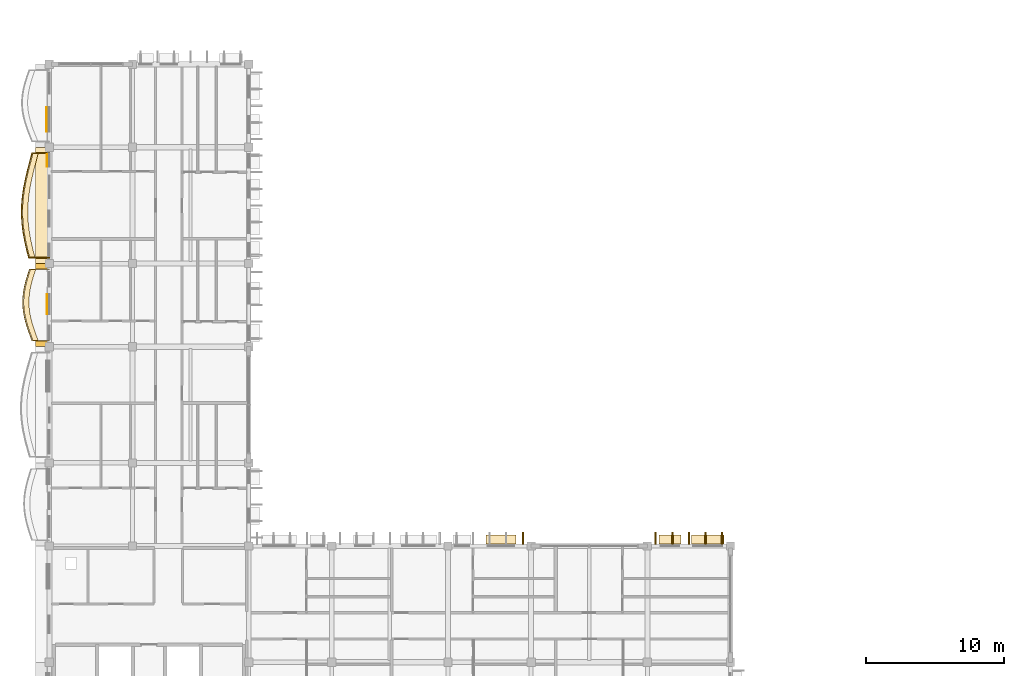
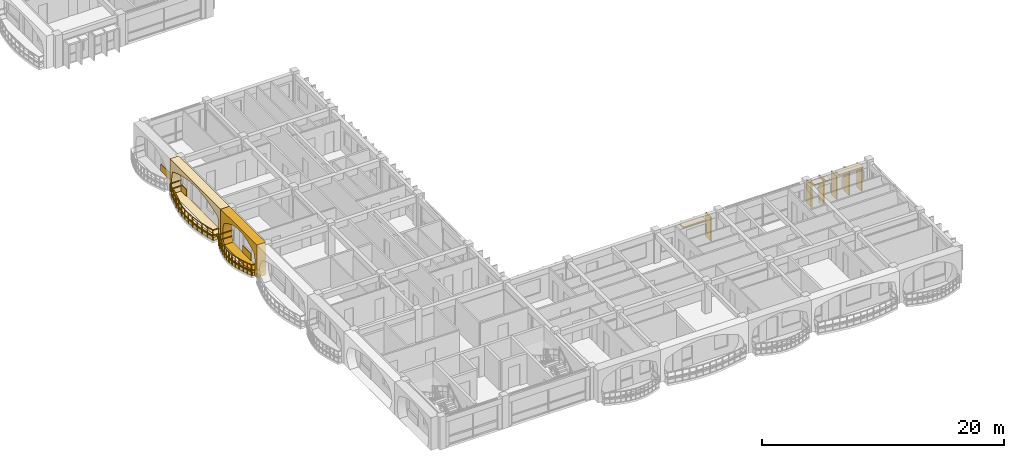
# One storey, part 53 of 76: 16 coverings, 2 railings.
"""IFC4 building model written with IfcOpenShell, lengths in metres."""

from ifc_helpers import new_model, si_unit, direction, frame, origin, origin_2d, place, context, subcontext, project, spatial, polyline, rectangle, outline, extrude, material, layer, layer_set, type_object, element, save


model = new_model("IFC4")

# Units and contexts
model_context = context("Model", 3, precision=1e-05, world=origin(), true_north=direction((0.0, 1.0)))
body_context = subcontext(model_context, "Body", "Model", "MODEL_VIEW")
ifc_project = project(units=[si_unit("LENGTHUNIT", "METRE"), si_unit("AREAUNIT", "SQUARE_METRE"), si_unit("VOLUMEUNIT", "CUBIC_METRE"), si_unit("PLANEANGLEUNIT", "RADIAN"), si_unit("MASSUNIT", "GRAM", prefix="KILO"), si_unit("THERMODYNAMICTEMPERATUREUNIT", "KELVIN")], contexts=[model_context])

# Site, building, storey
site_placement = place(None, origin())
site = spatial("IfcSite", under=ifc_project, at=site_placement, CompositionType="ELEMENT")
building_placement = place(site_placement, origin())
building = spatial("IfcBuilding", under=site, at=building_placement, Name="Thalorik Housing Commons", CompositionType="ELEMENT")
storey_placement = place(building_placement, frame((0.0, 0.0, 18.0)))
storey = spatial("IfcBuildingStorey", under=building, at=storey_placement, Name="L05", CompositionType="ELEMENT", Elevation=18.0)

# Coverings
ifc_material_1 = material(Name="Cobalt blue glazed ceramic facade tile panel", Category="masonry")
ifc_layer_1 = layer(ifc_material_1, 0.06005859375, Name="Cobalt blue glazed ceramic facade tile panel", Category="masonry")
ifc_layer_set_1 = layer_set([ifc_layer_1], Name="Cobalt blue glazed ceramic facade tile panel")
covering_type_1 = type_object("IfcCoveringType", Name="ARC-CLD-BLU-60", PredefinedType="CLADDING", material=ifc_layer_set_1)
covering_1_placement = place(storey_placement, frame((8.2275390625, 40.264892578125, 0.0498046875), z_axis=(0.0, 0.0, 1.0), x_axis=(0.0, -1.0, 0.0)))
element("IfcCovering", 1, at=covering_1_placement, inside=storey, type_object=covering_type_1, Name="L05 De Stijl Recessed Window Spandrel 3961", PredefinedType="CLADDING", context=body_context, shape_type="SweptSolid", body=[
    extrude(rectangle(XDim=1.419921875, YDim=0.06005859375, at=origin_2d()), origin(), (0.0, 0.0, 1.0), 0.699951171875),
])
ifc_material_2 = material(Name="Precast concrete C40/50", Category="concrete")
ifc_layer_2 = layer(ifc_material_2, 0.85009765625, Name="Precast concrete C40/50", Category="concrete")
ifc_layer_set_2 = layer_set([ifc_layer_2], Name="Precast concrete C40/50")
covering_type_2 = type_object("IfcCoveringType", Name="ARC-CLD-CUSH-850", PredefinedType="CLADDING", material=ifc_layer_set_2)
covering_2_placement = place(storey_placement, frame((7.83740234375, 47.39990234375, 0.0), z_axis=(0.0, 0.0, 1.0), x_axis=(0.0, -1.0, 0.0)))
element("IfcCovering", 2, at=covering_2_placement, inside=storey, type_object=covering_type_2, Name="L05 White Precast Curved Cushion Bay Frame 3958", PredefinedType="CLADDING", context=body_context, shape_type="SweptSolid", body=[
    extrude(outline(polyline([(-4.199951171875, 0.0), (4.199951171875, 0.0), (4.199951171875, 3.300048828125), (-4.199951171875, 3.300048828125), (-4.199951171875, 0.0)]), holes=[polyline([(3.715087890625, 0.02490234375), (3.8173828125, 0.394287109375), (3.87890625, 0.76318359375), (3.8994140625, 1.132568359375), (3.87890625, 1.501708984375), (3.8173828125, 1.870849609375), (3.715087890625, 2.239990234375), (3.09423828125, 2.4833984375), (2.473388671875, 2.6748046875), (1.8525390625, 2.82958984375), (1.231689453125, 2.94482421875), (0.61083984375, 3.01611328125), (-0.010009765625, 3.0400390625), (-0.630859375, 3.01611328125), (-1.251708984375, 2.94482421875), (-1.87255859375, 2.82958984375), (-2.493408203125, 2.6748046875), (-3.1142578125, 2.4833984375), (-3.735107421875, 2.239990234375), (-3.833251953125, 1.870849609375), (-3.89208984375, 1.501708984375), (-3.91162109375, 1.132568359375), (-3.89208984375, 0.76318359375), (-3.833251953125, 0.394287109375), (-3.735107421875, 0.02490234375), (3.715087890625, 0.02490234375)])]), frame((0.0, 0.425048828125, 0.0), z_axis=(0.0, -1.0, 0.0), x_axis=(1.0, 0.0, 0.0)), (0.0, 0.0, 1.0), 0.85009765625),
])
covering_3_placement = place(storey_placement, frame((7.83740234375, 40.199951171875, 0.0), z_axis=(0.0, 0.0, 1.0), x_axis=(0.0, -1.0, 0.0)))
element("IfcCovering", 3, at=covering_3_placement, inside=storey, type_object=covering_type_2, Name="L05 White Precast Curved Cushion Bay Frame 3960", PredefinedType="CLADDING", context=body_context, shape_type="SweptSolid", body=[
    extrude(outline(polyline([(-3.0, 0.0), (3.0, 0.0), (3.0, 3.300048828125), (-3.0, 3.300048828125), (-3.0, 0.0)]), holes=[polyline([(2.530029296875, 0.02490234375), (2.629150390625, 0.387451171875), (2.688720703125, 0.75), (2.70849609375, 1.112548828125), (2.688720703125, 1.47509765625), (2.629150390625, 1.83740234375), (2.530029296875, 2.199951171875), (2.11669921875, 2.455810546875), (1.703369140625, 2.656494140625), (1.2900390625, 2.819091796875), (0.876708984375, 2.940185546875), (0.46337890625, 3.014892578125), (0.050048828125, 3.0400390625), (-0.36328125, 3.014892578125), (-0.776611328125, 2.940185546875), (-1.18994140625, 2.819091796875), (-1.603271484375, 2.656494140625), (-2.0166015625, 2.455810546875), (-2.429931640625, 2.199951171875), (-2.55029296875, 1.83740234375), (-2.62255859375, 1.47509765625), (-2.646484375, 1.112548828125), (-2.62255859375, 0.75), (-2.55029296875, 0.387451171875), (-2.429931640625, 0.02490234375), (2.530029296875, 0.02490234375)])]), frame((0.0, 0.425048828125, 0.0), z_axis=(0.0, -1.0, 0.0), x_axis=(1.0, 0.0, 0.0)), (0.0, 0.0, 1.0), 0.85009765625),
])
ifc_layer_3 = layer(ifc_material_2, 0.85009765625, Name="Precast concrete C40/50", Category="concrete")
ifc_layer_set_3 = layer_set([ifc_layer_3], Name="Precast concrete C40/50")
covering_type_3 = type_object("IfcCoveringType", Name="ARC-CLD-FIN-850", PredefinedType="CLADDING", material=ifc_layer_set_3)
for number, where, z_axis, x_axis, name in (
    (4, (57.0, 23.362548828125, 0.0400390625), (0.0, 0.0, 1.0), (-1.0, 0.0, 0.0), "L05 Courtyard Precast Vertical Brise-Soleil Fin 3987"),
    (5, (55.800048828125, 23.362548828125, 0.0400390625), (0.0, 0.0, 1.0), (-1.0, 0.0, 0.0), "L05 Courtyard Precast Vertical Brise-Soleil Fin 3988"),
    (6, (54.60009765625, 23.362548828125, 0.0400390625), (0.0, 0.0, 1.0), (-1.0, 0.0, 0.0), "L05 Courtyard Precast Vertical Brise-Soleil Fin 3989"),
    (7, (53.39990234375, 23.362548828125, 0.0400390625), (0.0, 0.0, 1.0), (-1.0, 0.0, 0.0), "L05 Courtyard Precast Vertical Brise-Soleil Fin 3990"),
    (8, (52.199951171875, 23.362548828125, 0.0400390625), (0.0, 0.0, 1.0), (-1.0, 0.0, 0.0), "L05 Courtyard Precast Vertical Brise-Soleil Fin 3991"),
    (9, (42.60009765625, 23.362548828125, 0.0400390625), (0.0, 0.0, 1.0), (-1.0, 0.0, 0.0), "L05 Courtyard Precast Vertical Brise-Soleil Fin 3994"),
):
    element("IfcCovering", number, at=place(storey_placement, frame(where, z_axis=z_axis, x_axis=x_axis)), inside=storey, type_object=covering_type_3, Name=name, PredefinedType="CLADDING", context=body_context, shape_type="SweptSolid", body=[
        extrude(rectangle(XDim=0.110107421875, YDim=0.85009765625, at=origin_2d()), origin(), (0.0, 0.0, 1.0), 2.39501953125),
    ])
ifc_layer_4 = layer(ifc_material_2, 0.64990234375, Name="Precast concrete C40/50", Category="concrete")
ifc_layer_set_4 = layer_set([ifc_layer_4], Name="Precast concrete C40/50")
covering_type_4 = type_object("IfcCoveringType", Name="ARC-CLD-HOOD-650", PredefinedType="CLADDING", material=ifc_layer_set_4)
covering_4_placement = place(storey_placement, frame((55.969970703125, 23.262451171875, 2.3251953125), z_axis=(0.0, 0.0, 1.0), x_axis=(-1.0, 0.0, 0.0)))
element("IfcCovering", 10, at=covering_4_placement, inside=storey, type_object=covering_type_4, Name="L05 Courtyard Precast Window Sun-Hood 3992", PredefinedType="CLADDING", context=body_context, shape_type="SweptSolid", body=[
    extrude(rectangle(XDim=2.340087890625, YDim=0.64990234375, at=origin_2d()), origin(), (0.0, 0.0, 1.0), 0.139892578125),
])
covering_5_placement = place(storey_placement, frame((53.22998046875, 23.262451171875, 2.14013671875), z_axis=(0.0, 0.0, 1.0), x_axis=(-1.0, 0.0, 0.0)))
element("IfcCovering", 11, at=covering_5_placement, inside=storey, type_object=covering_type_4, Name="L05 Courtyard Precast Window Sun-Hood 3993", PredefinedType="CLADDING", context=body_context, shape_type="SweptSolid", body=[
    extrude(rectangle(XDim=1.56005859375, YDim=0.64990234375, at=origin_2d()), origin(), (0.0, 0.0, 1.0), 0.139892578125),
])
covering_6_placement = place(storey_placement, frame((41.011474609375, 23.262451171875, 2.22998046875), z_axis=(0.0, 0.0, 1.0), x_axis=(-1.0, 0.0, 0.0)))
element("IfcCovering", 12, at=covering_6_placement, inside=storey, type_object=covering_type_4, Name="L05 Courtyard Precast Window Sun-Hood 3999", PredefinedType="CLADDING", context=body_context, shape_type="SweptSolid", body=[
    extrude(rectangle(XDim=2.159912109375, YDim=0.64990234375, at=origin_2d()), origin(), (0.0, 0.0, 1.0), 0.139892578125),
])
ifc_material_3 = material(Name="Terracotta red mineral fibre-cement panel", Category="masonry")
ifc_layer_5 = layer(ifc_material_3, 0.054931640625, Name="Terracotta red mineral fibre-cement panel", Category="masonry")
ifc_layer_set_5 = layer_set([ifc_layer_5], Name="Terracotta red mineral fibre-cement panel")
covering_type_5 = type_object("IfcCoveringType", Name="ARC-CLD-RED-55", PredefinedType="CLADDING", material=ifc_layer_set_5)
covering_7_placement = place(storey_placement, frame((8.22998046875, 50.635009765625, 0.0498046875), z_axis=(0.0, 0.0, 1.0), x_axis=(0.0, -1.0, 0.0)))
element("IfcCovering", 13, at=covering_7_placement, inside=storey, type_object=covering_type_5, Name="L05 De Stijl Recessed Window Spandrel 3959", PredefinedType="CLADDING", context=body_context, shape_type="SweptSolid", body=[
    extrude(rectangle(XDim=0.89990234375, YDim=0.054931640625, at=origin_2d()), origin(), (0.0, 0.0, 1.0), 0.699951171875),
])
ifc_material_4 = material(Name="Mineral ochre architectural terracotta panel", Category="masonry")
ifc_layer_6 = layer(ifc_material_4, 0.06494140625, Name="Mineral ochre architectural terracotta panel", Category="masonry")
ifc_layer_set_6 = layer_set([ifc_layer_6], Name="Mineral ochre architectural terracotta panel")
covering_type_6 = type_object("IfcCoveringType", Name="ARC-CLD-YEL-65", PredefinedType="CLADDING", material=ifc_layer_set_6)
covering_8_placement = place(storey_placement, frame((8.22509765625, 53.610107421875, 0.0498046875), z_axis=(0.0, 0.0, 1.0), x_axis=(0.0, -1.0, 0.0)))
element("IfcCovering", 14, at=covering_8_placement, inside=storey, type_object=covering_type_6, Name="L05 De Stijl Recessed Window Spandrel 3957", PredefinedType="CLADDING", context=body_context, shape_type="SweptSolid", body=[
    extrude(rectangle(XDim=1.75, YDim=0.06494140625, at=origin_2d()), origin(), (0.0, 0.0, 1.0), 0.699951171875),
])
ifc_material_5 = material(Name="Planted vegetated substrate and terracotta trough", Category="masonry")
ifc_layer_7 = layer(ifc_material_5, 0.340087890625, Name="Planted vegetated substrate and terracotta trough", Category="masonry")
ifc_layer_set_7 = layer_set([ifc_layer_7], Name="Planted vegetated substrate and terracotta trough")
covering_type_7 = type_object("IfcCoveringType", Name="ARC-COV-PLANTER", PredefinedType="USERDEFINED", material=ifc_layer_set_7)
covering_9_placement = place(storey_placement, origin())
element("IfcCovering", 15, at=covering_9_placement, inside=storey, type_object=covering_type_7, Name="L05 Balcony Slab-Edge Planted Trough 5599", ObjectType="PLANTER", PredefinedType="USERDEFINED", context=body_context, shape_type="SweptSolid", body=[
    extrude(outline(polyline([(7.03369140625, 42.780029296875), (6.894775390625, 42.35009765625), (6.768310546875, 41.919921875), (6.66357421875, 41.489990234375), (6.588623046875, 41.06005859375), (6.549072265625, 40.6298828125), (6.548583984375, 40.199951171875), (6.58740234375, 39.77001953125), (6.6640625, 39.340087890625), (6.773681640625, 38.909912109375), (6.90869140625, 38.47998046875), (7.060791015625, 38.050048828125), (7.219482421875, 37.6201171875), (7.599609375, 37.6201171875), (7.44091796875, 38.050048828125), (7.288818359375, 38.47998046875), (7.153564453125, 38.909912109375), (7.044189453125, 39.340087890625), (6.967529296875, 39.77001953125), (6.928466796875, 40.199951171875), (6.92919921875, 40.6298828125), (6.968505859375, 41.06005859375), (7.043701171875, 41.489990234375), (7.148193359375, 41.919921875), (7.274658203125, 42.35009765625), (7.41357421875, 42.780029296875), (7.03369140625, 42.780029296875)])), origin(), (0.0, 0.0, 1.0), 0.340087890625),
])
covering_10_placement = place(storey_placement, origin())
element("IfcCovering", 16, at=covering_10_placement, inside=storey, type_object=covering_type_7, Name="L05 Balcony Slab-Edge Planted Trough 5600", ObjectType="PLANTER", PredefinedType="USERDEFINED", context=body_context, shape_type="SweptSolid", body=[
    extrude(outline(polyline([(7.2197265625, 51.179931640625), (7.055419921875, 50.550048828125), (6.89306640625, 49.919921875), (6.744384765625, 49.2900390625), (6.619384765625, 48.659912109375), (6.52685546875, 48.030029296875), (6.473388671875, 47.39990234375), (6.462890625, 46.77001953125), (6.49609375, 46.139892578125), (6.571044921875, 45.510009765625), (6.682861328125, 44.8798828125), (6.823974609375, 44.25), (6.984619140625, 43.6201171875), (7.364501953125, 43.6201171875), (7.203857421875, 44.25), (7.062744140625, 44.8798828125), (6.951171875, 45.510009765625), (6.876220703125, 46.139892578125), (6.843017578125, 46.77001953125), (6.853515625, 47.39990234375), (6.906982421875, 48.030029296875), (6.99951171875, 48.659912109375), (7.124267578125, 49.2900390625), (7.273193359375, 49.919921875), (7.435302734375, 50.550048828125), (7.599853515625, 51.179931640625), (7.2197265625, 51.179931640625)])), origin(), (0.0, 0.0, 1.0), 0.340087890625),
])

# Railings
ifc_material_6 = material(Name="Steel S355", Category="steel")
railing_type_1 = type_object("IfcRailingType", Name="ARC-RL-BAL-112", PredefinedType="BALUSTRADE", material=ifc_material_6)
railing_1_placement = place(storey_placement, frame((8.39990234375, 51.179931640625, 0.0)))
element("IfcRailing", 17, at=railing_1_placement, inside=storey, type_object=railing_type_1, Name="L05 Cushion Balcony Guardrail 284", PredefinedType="BALUSTRADE", context=body_context, shape_type="SweptSolid", body=[
    extrude(rectangle(XDim=0.050048828125, YDim=0.050048828125, at=origin_2d()), frame((0.0, 0.0, 1.09521484375), z_axis=(-1.0, 0.0, 0.0), x_axis=(0.0, -1.0, 0.0)), (0.0, 0.0, 1.0), 1.25),
    extrude(rectangle(XDim=0.050048828125, YDim=0.050048828125, at=origin_2d()), frame((0.0, 0.0, 0.53515625), z_axis=(-1.0, 0.0, 0.0), x_axis=(0.0, -1.0, 0.0)), (0.0, 0.0, 1.0), 1.25),
    extrude(rectangle(XDim=0.050048828125, YDim=0.050048828125, at=origin_2d()), frame((-1.25, 0.0, 1.09521484375), z_axis=(-0.252757732925, -0.967529600812, 0.0), x_axis=(0.967529600812, -0.252757732925, 0.0)), (0.0, 0.0, 1.0), 0.651123046875),
    extrude(rectangle(XDim=0.050048828125, YDim=0.050048828125, at=origin_2d()), frame((-1.25, 0.0, 0.53515625), z_axis=(-0.252757732925, -0.967529600812, 0.0), x_axis=(0.967529600812, -0.252757732925, 0.0)), (0.0, 0.0, 1.0), 0.651123046875),
    extrude(rectangle(XDim=0.050048828125, YDim=0.050048828125, at=origin_2d()), frame((-1.41455078125, -0.6298828125, 1.09521484375), z_axis=(-0.249503539128, -0.968373886452, 0.0), x_axis=(0.968373886452, -0.249503539128, 0.0)), (0.0, 0.0, 1.0), 0.650634765625),
    extrude(rectangle(XDim=0.050048828125, YDim=0.050048828125, at=origin_2d()), frame((-1.41455078125, -0.6298828125, 0.53515625), z_axis=(-0.249503539128, -0.968373886452, 0.0), x_axis=(0.968373886452, -0.249503539128, 0.0)), (0.0, 0.0, 1.0), 0.650634765625),
    extrude(rectangle(XDim=0.050048828125, YDim=0.050048828125, at=origin_2d()), frame((-1.576904296875, -1.260009765625, 1.09521484375), z_axis=(-0.229733131561, -0.973253660801, 0.0), x_axis=(0.973253660801, -0.229733131561, 0.0)), (0.0, 0.0, 1.0), 0.647216796875),
    extrude(rectangle(XDim=0.050048828125, YDim=0.050048828125, at=origin_2d()), frame((-1.576904296875, -1.260009765625, 0.53515625), z_axis=(-0.229733131561, -0.973253660801, 0.0), x_axis=(0.973253660801, -0.229733131561, 0.0)), (0.0, 0.0, 1.0), 0.647216796875),
    extrude(rectangle(XDim=0.050048828125, YDim=0.050048828125, at=origin_2d()), frame((-1.7255859375, -1.889892578125, 1.09521484375), z_axis=(-0.194581113002, -0.980886430971, 0.0), x_axis=(0.980886430971, -0.194581113002, 0.0)), (0.0, 0.0, 1.0), 0.642333984375),
    extrude(rectangle(XDim=0.050048828125, YDim=0.050048828125, at=origin_2d()), frame((-1.7255859375, -1.889892578125, 0.53515625), z_axis=(-0.194581113002, -0.980886430971, 0.0), x_axis=(0.980886430971, -0.194581113002, 0.0)), (0.0, 0.0, 1.0), 0.642333984375),
    extrude(rectangle(XDim=0.050048828125, YDim=0.050048828125, at=origin_2d()), frame((-1.8505859375, -2.52001953125, 1.09521484375), z_axis=(-0.145339427232, -0.989381852922, 0.0), x_axis=(0.989381852922, -0.145339427232, 0.0)), (0.0, 0.0, 1.0), 0.63671875),
    extrude(rectangle(XDim=0.050048828125, YDim=0.050048828125, at=origin_2d()), frame((-1.8505859375, -2.52001953125, 0.53515625), z_axis=(-0.145339427232, -0.989381852922, 0.0), x_axis=(0.989381852922, -0.145339427232, 0.0)), (0.0, 0.0, 1.0), 0.63671875),
    extrude(rectangle(XDim=0.050048828125, YDim=0.050048828125, at=origin_2d()), frame((-1.943115234375, -3.14990234375, 1.09521484375), z_axis=(-0.084163705207, -0.996451941002, 0.0), x_axis=(0.996451941002, -0.084163705207, 0.0)), (0.0, 0.0, 1.0), 0.63232421875),
    extrude(rectangle(XDim=0.050048828125, YDim=0.050048828125, at=origin_2d()), frame((-1.943115234375, -3.14990234375, 0.53515625), z_axis=(-0.084163705207, -0.996451941002, 0.0), x_axis=(0.996451941002, -0.084163705207, 0.0)), (0.0, 0.0, 1.0), 0.63232421875),
    extrude(rectangle(XDim=0.050048828125, YDim=0.050048828125, at=origin_2d()), frame((-1.996337890625, -3.780029296875, 1.09521484375), z_axis=(-0.017051784008, -0.999854607762, 0.0), x_axis=(0.999854607762, -0.017051784008, 0.0)), (0.0, 0.0, 1.0), 0.6298828125),
    extrude(rectangle(XDim=0.050048828125, YDim=0.050048828125, at=origin_2d()), frame((-1.996337890625, -3.780029296875, 0.53515625), z_axis=(-0.017051784008, -0.999854607762, 0.0), x_axis=(0.999854607762, -0.017051784008, 0.0)), (0.0, 0.0, 1.0), 0.6298828125),
    extrude(rectangle(XDim=0.050048828125, YDim=0.050048828125, at=origin_2d()), frame((-2.007080078125, -4.409912109375, 1.09521484375), z_axis=(0.052619755312, -0.998614621038, 0.0), x_axis=(0.998614621038, 0.052619755312, 0.0)), (0.0, 0.0, 1.0), 0.631103515625),
    extrude(rectangle(XDim=0.050048828125, YDim=0.050048828125, at=origin_2d()), frame((-2.007080078125, -4.409912109375, 0.53515625), z_axis=(0.052619755312, -0.998614621038, 0.0), x_axis=(0.998614621038, 0.052619755312, 0.0)), (0.0, 0.0, 1.0), 0.631103515625),
    extrude(rectangle(XDim=0.050048828125, YDim=0.050048828125, at=origin_2d()), frame((-1.973876953125, -5.0400390625, 1.09521484375), z_axis=(0.118538157109, -0.992949497864, 0.0), x_axis=(0.992949497864, 0.118538157109, 0.0)), (0.0, 0.0, 1.0), 0.63427734375),
    extrude(rectangle(XDim=0.050048828125, YDim=0.050048828125, at=origin_2d()), frame((-1.973876953125, -5.0400390625, 0.53515625), z_axis=(0.118538157109, -0.992949497864, 0.0), x_axis=(0.992949497864, 0.118538157109, 0.0)), (0.0, 0.0, 1.0), 0.63427734375),
    extrude(rectangle(XDim=0.050048828125, YDim=0.050048828125, at=origin_2d()), frame((-1.898681640625, -5.669921875, 1.09521484375), z_axis=(0.174351172623, -0.984683537287, 0.0), x_axis=(0.984683537287, 0.174351172623, 0.0)), (0.0, 0.0, 1.0), 0.639892578125),
    extrude(rectangle(XDim=0.050048828125, YDim=0.050048828125, at=origin_2d()), frame((-1.898681640625, -5.669921875, 0.53515625), z_axis=(0.174351172623, -0.984683537287, 0.0), x_axis=(0.984683537287, 0.174351172623, 0.0)), (0.0, 0.0, 1.0), 0.639892578125),
    extrude(rectangle(XDim=0.050048828125, YDim=0.050048828125, at=origin_2d()), frame((-1.787109375, -6.300048828125, 1.09521484375), z_axis=(0.218612109708, -0.975811839183, 0.0), x_axis=(0.975811839183, 0.218612109708, 0.0)), (0.0, 0.0, 1.0), 0.6455078125),
    extrude(rectangle(XDim=0.050048828125, YDim=0.050048828125, at=origin_2d()), frame((-1.787109375, -6.300048828125, 0.53515625), z_axis=(0.218612109708, -0.975811839183, 0.0), x_axis=(0.975811839183, 0.218612109708, 0.0)), (0.0, 0.0, 1.0), 0.6455078125),
    extrude(rectangle(XDim=0.050048828125, YDim=0.050048828125, at=origin_2d()), frame((-1.64599609375, -6.929931640625, 1.09521484375), z_axis=(0.247128171494, -0.968982800082, 0.0), x_axis=(0.968982800082, 0.247128171494, 0.0)), (0.0, 0.0, 1.0), 0.650146484375),
    extrude(rectangle(XDim=0.050048828125, YDim=0.050048828125, at=origin_2d()), frame((-1.64599609375, -6.929931640625, 0.53515625), z_axis=(0.247128171494, -0.968982800082, 0.0), x_axis=(0.968982800082, 0.247128171494, 0.0)), (0.0, 0.0, 1.0), 0.650146484375),
    extrude(rectangle(XDim=0.050048828125, YDim=0.050048828125, at=origin_2d()), frame((-1.4853515625, -7.559814453125, 1.09521484375), z_axis=(1.0, 0.0, 0.0), x_axis=(0.0, 1.0, 0.0)), (0.0, 0.0, 1.0), 1.4853515625),
    extrude(rectangle(XDim=0.050048828125, YDim=0.050048828125, at=origin_2d()), frame((-1.4853515625, -7.559814453125, 0.53515625), z_axis=(1.0, 0.0, 0.0), x_axis=(0.0, 1.0, 0.0)), (0.0, 0.0, 1.0), 1.4853515625),
    extrude(rectangle(XDim=0.0419921875, YDim=0.0419921875, at=origin_2d()), origin(), (0.0, 0.0, 1.0), 1.070068359375),
    extrude(rectangle(XDim=0.0419921875, YDim=0.0419921875, at=origin_2d()), frame((-1.25, 0.0, 0.0)), (0.0, 0.0, 1.0), 1.070068359375),
    extrude(rectangle(XDim=0.0419921875, YDim=0.0419921875, at=origin_2d()), frame((-1.41455078125, -0.6298828125, 0.0)), (0.0, 0.0, 1.0), 1.070068359375),
    extrude(rectangle(XDim=0.0419921875, YDim=0.0419921875, at=origin_2d()), frame((-1.576904296875, -1.260009765625, 0.0)), (0.0, 0.0, 1.0), 1.070068359375),
    extrude(rectangle(XDim=0.0419921875, YDim=0.0419921875, at=origin_2d()), frame((-1.7255859375, -1.889892578125, 0.0)), (0.0, 0.0, 1.0), 1.070068359375),
    extrude(rectangle(XDim=0.0419921875, YDim=0.0419921875, at=origin_2d()), frame((-1.8505859375, -2.52001953125, 0.0)), (0.0, 0.0, 1.0), 1.070068359375),
    extrude(rectangle(XDim=0.0419921875, YDim=0.0419921875, at=origin_2d()), frame((-1.943115234375, -3.14990234375, 0.0)), (0.0, 0.0, 1.0), 1.070068359375),
    extrude(rectangle(XDim=0.0419921875, YDim=0.0419921875, at=origin_2d()), frame((-1.996337890625, -3.780029296875, 0.0)), (0.0, 0.0, 1.0), 1.070068359375),
    extrude(rectangle(XDim=0.0419921875, YDim=0.0419921875, at=origin_2d()), frame((-2.007080078125, -4.409912109375, 0.0)), (0.0, 0.0, 1.0), 1.070068359375),
    extrude(rectangle(XDim=0.0419921875, YDim=0.0419921875, at=origin_2d()), frame((-1.973876953125, -5.0400390625, 0.0)), (0.0, 0.0, 1.0), 1.070068359375),
    extrude(rectangle(XDim=0.0419921875, YDim=0.0419921875, at=origin_2d()), frame((-1.898681640625, -5.669921875, 0.0)), (0.0, 0.0, 1.0), 1.070068359375),
    extrude(rectangle(XDim=0.0419921875, YDim=0.0419921875, at=origin_2d()), frame((-1.787109375, -6.300048828125, 0.0)), (0.0, 0.0, 1.0), 1.070068359375),
    extrude(rectangle(XDim=0.0419921875, YDim=0.0419921875, at=origin_2d()), frame((-1.64599609375, -6.929931640625, 0.0)), (0.0, 0.0, 1.0), 1.070068359375),
    extrude(rectangle(XDim=0.0419921875, YDim=0.0419921875, at=origin_2d()), frame((-1.4853515625, -7.559814453125, 0.0)), (0.0, 0.0, 1.0), 1.070068359375),
    extrude(rectangle(XDim=0.0419921875, YDim=0.0419921875, at=origin_2d()), frame((0.0, -7.559814453125, 0.0)), (0.0, 0.0, 1.0), 1.070068359375),
])
railing_type_2 = type_object("IfcRailingType", Name="ARC-RL-BAL-115", PredefinedType="BALUSTRADE", material=ifc_material_6)
railing_2_placement = place(storey_placement, frame((8.39990234375, 42.780029296875, 0.0)))
element("IfcRailing", 18, at=railing_2_placement, inside=storey, type_object=railing_type_2, Name="L05 Cushion Balcony Guardrail 283", PredefinedType="BALUSTRADE", context=body_context, shape_type="SweptSolid", body=[
    extrude(rectangle(XDim=0.050048828125, YDim=0.050048828125, at=origin_2d()), frame((0.0, 0.0, 1.125), z_axis=(-1.0, 0.0, 0.0), x_axis=(0.0, -1.0, 0.0)), (0.0, 0.0, 1.0), 1.436279296875),
    extrude(rectangle(XDim=0.050048828125, YDim=0.050048828125, at=origin_2d()), frame((0.0, 0.0, 0.5498046875), z_axis=(-1.0, 0.0, 0.0), x_axis=(0.0, -1.0, 0.0)), (0.0, 0.0, 1.0), 1.436279296875),
    extrude(rectangle(XDim=0.050048828125, YDim=0.050048828125, at=origin_2d()), frame((-1.436279296875, 0.0, 1.125), z_axis=(-0.307460592586, -0.951560814665, 0.0), x_axis=(0.951560814665, -0.307460592586, 0.0)), (0.0, 0.0, 1.0), 0.451904296875),
    extrude(rectangle(XDim=0.050048828125, YDim=0.050048828125, at=origin_2d()), frame((-1.436279296875, 0.0, 0.5498046875), z_axis=(-0.307460592586, -0.951560814665, 0.0), x_axis=(0.951560814665, -0.307460592586, 0.0)), (0.0, 0.0, 1.0), 0.451904296875),
    extrude(rectangle(XDim=0.050048828125, YDim=0.050048828125, at=origin_2d()), frame((-1.5751953125, -0.429931640625, 1.125), z_axis=(-0.282048405747, -0.959400175534, 0.0), x_axis=(0.959400175534, -0.282048405747, 0.0)), (0.0, 0.0, 1.0), 0.448486328125),
    extrude(rectangle(XDim=0.050048828125, YDim=0.050048828125, at=origin_2d()), frame((-1.5751953125, -0.429931640625, 0.5498046875), z_axis=(-0.282048405747, -0.959400175534, 0.0), x_axis=(0.959400175534, -0.282048405747, 0.0)), (0.0, 0.0, 1.0), 0.448486328125),
    extrude(rectangle(XDim=0.050048828125, YDim=0.050048828125, at=origin_2d()), frame((-1.70166015625, -0.860107421875, 1.125), z_axis=(-0.236689448034, -0.971585356615, 0.0), x_axis=(0.971585356615, -0.236689448034, 0.0)), (0.0, 0.0, 1.0), 0.442626953125),
    extrude(rectangle(XDim=0.050048828125, YDim=0.050048828125, at=origin_2d()), frame((-1.70166015625, -0.860107421875, 0.5498046875), z_axis=(-0.236689448034, -0.971585356615, 0.0), x_axis=(0.971585356615, -0.236689448034, 0.0)), (0.0, 0.0, 1.0), 0.442626953125),
    extrude(rectangle(XDim=0.050048828125, YDim=0.050048828125, at=origin_2d()), frame((-1.806396484375, -1.2900390625, 1.125), z_axis=(-0.171742507217, -0.985141873648, 0.0), x_axis=(0.985141873648, -0.171742507217, 0.0)), (0.0, 0.0, 1.0), 0.4365234375),
    extrude(rectangle(XDim=0.050048828125, YDim=0.050048828125, at=origin_2d()), frame((-1.806396484375, -1.2900390625, 0.5498046875), z_axis=(-0.171742507217, -0.985141873648, 0.0), x_axis=(0.985141873648, -0.171742507217, 0.0)), (0.0, 0.0, 1.0), 0.4365234375),
    extrude(rectangle(XDim=0.050048828125, YDim=0.050048828125, at=origin_2d()), frame((-1.88134765625, -1.719970703125, 1.125), z_axis=(-0.09155482746, -0.99580003694, 0.0), x_axis=(0.99580003694, -0.09155482746, 0.0)), (0.0, 0.0, 1.0), 0.431884765625),
    extrude(rectangle(XDim=0.050048828125, YDim=0.050048828125, at=origin_2d()), frame((-1.88134765625, -1.719970703125, 0.5498046875), z_axis=(-0.09155482746, -0.99580003694, 0.0), x_axis=(0.99580003694, -0.09155482746, 0.0)), (0.0, 0.0, 1.0), 0.431884765625),
    extrude(rectangle(XDim=0.050048828125, YDim=0.050048828125, at=origin_2d()), frame((-1.9208984375, -2.150146484375, 1.125), z_axis=(-0.001135717609, -0.999999355073, 0.0), x_axis=(0.999999355073, -0.001135717609, 0.0)), (0.0, 0.0, 1.0), 0.429931640625),
    extrude(rectangle(XDim=0.050048828125, YDim=0.050048828125, at=origin_2d()), frame((-1.9208984375, -2.150146484375, 0.5498046875), z_axis=(-0.001135717609, -0.999999355073, 0.0), x_axis=(0.999999355073, -0.001135717609, 0.0)), (0.0, 0.0, 1.0), 0.429931640625),
    extrude(rectangle(XDim=0.050048828125, YDim=0.050048828125, at=origin_2d()), frame((-1.92138671875, -2.580078125, 1.125), z_axis=(0.090484755539, -0.995897840652, 0.0), x_axis=(0.995897840652, 0.090484755539, 0.0)), (0.0, 0.0, 1.0), 0.431640625),
    extrude(rectangle(XDim=0.050048828125, YDim=0.050048828125, at=origin_2d()), frame((-1.92138671875, -2.580078125, 0.5498046875), z_axis=(0.090484755539, -0.995897840652, 0.0), x_axis=(0.995897840652, 0.090484755539, 0.0)), (0.0, 0.0, 1.0), 0.431640625),
    extrude(rectangle(XDim=0.050048828125, YDim=0.050048828125, at=origin_2d()), frame((-1.88232421875, -3.010009765625, 1.125), z_axis=(0.174997203423, -0.984568930443, 0.0), x_axis=(0.984568930443, 0.174997203423, 0.0)), (0.0, 0.0, 1.0), 0.436767578125),
    extrude(rectangle(XDim=0.050048828125, YDim=0.050048828125, at=origin_2d()), frame((-1.88232421875, -3.010009765625, 0.5498046875), z_axis=(0.174997203423, -0.984568930443, 0.0), x_axis=(0.984568930443, 0.174997203423, 0.0)), (0.0, 0.0, 1.0), 0.436767578125),
    extrude(rectangle(XDim=0.050048828125, YDim=0.050048828125, at=origin_2d()), frame((-1.805908203125, -3.43994140625, 1.125), z_axis=(0.246932824876, -0.96903260007, 0.0), x_axis=(0.96903260007, 0.246932824876, 0.0)), (0.0, 0.0, 1.0), 0.44384765625),
    extrude(rectangle(XDim=0.050048828125, YDim=0.050048828125, at=origin_2d()), frame((-1.805908203125, -3.43994140625, 0.5498046875), z_axis=(0.246932824876, -0.96903260007, 0.0), x_axis=(0.96903260007, 0.246932824876, 0.0)), (0.0, 0.0, 1.0), 0.44384765625),
    extrude(rectangle(XDim=0.050048828125, YDim=0.050048828125, at=origin_2d()), frame((-1.6962890625, -3.8701171875, 1.125), z_axis=(0.300094208559, -0.953909569084, 0.0), x_axis=(0.953909569084, 0.300094208559, 0.0)), (0.0, 0.0, 1.0), 0.45068359375),
    extrude(rectangle(XDim=0.050048828125, YDim=0.050048828125, at=origin_2d()), frame((-1.6962890625, -3.8701171875, 0.5498046875), z_axis=(0.300094208559, -0.953909569084, 0.0), x_axis=(0.953909569084, 0.300094208559, 0.0)), (0.0, 0.0, 1.0), 0.45068359375),
    extrude(rectangle(XDim=0.050048828125, YDim=0.050048828125, at=origin_2d()), frame((-1.56103515625, -4.300048828125, 1.125), z_axis=(0.333520092889, -0.942742991297, 0.0), x_axis=(0.942742991297, 0.333520092889, 0.0)), (0.0, 0.0, 1.0), 0.4560546875),
    extrude(rectangle(XDim=0.050048828125, YDim=0.050048828125, at=origin_2d()), frame((-1.56103515625, -4.300048828125, 0.5498046875), z_axis=(0.333520092889, -0.942742991297, 0.0), x_axis=(0.942742991297, 0.333520092889, 0.0)), (0.0, 0.0, 1.0), 0.4560546875),
    extrude(rectangle(XDim=0.050048828125, YDim=0.050048828125, at=origin_2d()), frame((-1.408935546875, -4.72998046875, 1.125), z_axis=(0.346273105467, -0.938133751887, 0.0), x_axis=(0.938133751887, 0.346273105467, 0.0)), (0.0, 0.0, 1.0), 0.458251953125),
    extrude(rectangle(XDim=0.050048828125, YDim=0.050048828125, at=origin_2d()), frame((-1.408935546875, -4.72998046875, 0.5498046875), z_axis=(0.346273105467, -0.938133751887, 0.0), x_axis=(0.938133751887, 0.346273105467, 0.0)), (0.0, 0.0, 1.0), 0.458251953125),
    extrude(rectangle(XDim=0.050048828125, YDim=0.050048828125, at=origin_2d()), frame((-1.250244140625, -5.159912109375, 1.125), z_axis=(1.0, 0.0, 0.0), x_axis=(0.0, 1.0, 0.0)), (0.0, 0.0, 1.0), 1.250244140625),
    extrude(rectangle(XDim=0.050048828125, YDim=0.050048828125, at=origin_2d()), frame((-1.250244140625, -5.159912109375, 0.5498046875), z_axis=(1.0, 0.0, 0.0), x_axis=(0.0, 1.0, 0.0)), (0.0, 0.0, 1.0), 1.250244140625),
    extrude(rectangle(XDim=0.0419921875, YDim=0.0419921875, at=origin_2d()), origin(), (0.0, 0.0, 1.0), 1.099853515625),
    extrude(rectangle(XDim=0.0419921875, YDim=0.0419921875, at=origin_2d()), frame((-1.436279296875, 0.0, 0.0)), (0.0, 0.0, 1.0), 1.099853515625),
    extrude(rectangle(XDim=0.0419921875, YDim=0.0419921875, at=origin_2d()), frame((-1.5751953125, -0.429931640625, 0.0)), (0.0, 0.0, 1.0), 1.099853515625),
    extrude(rectangle(XDim=0.0419921875, YDim=0.0419921875, at=origin_2d()), frame((-1.70166015625, -0.860107421875, 0.0)), (0.0, 0.0, 1.0), 1.099853515625),
    extrude(rectangle(XDim=0.0419921875, YDim=0.0419921875, at=origin_2d()), frame((-1.806396484375, -1.2900390625, 0.0)), (0.0, 0.0, 1.0), 1.099853515625),
    extrude(rectangle(XDim=0.0419921875, YDim=0.0419921875, at=origin_2d()), frame((-1.88134765625, -1.719970703125, 0.0)), (0.0, 0.0, 1.0), 1.099853515625),
    extrude(rectangle(XDim=0.0419921875, YDim=0.0419921875, at=origin_2d()), frame((-1.9208984375, -2.150146484375, 0.0)), (0.0, 0.0, 1.0), 1.099853515625),
    extrude(rectangle(XDim=0.0419921875, YDim=0.0419921875, at=origin_2d()), frame((-1.92138671875, -2.580078125, 0.0)), (0.0, 0.0, 1.0), 1.099853515625),
    extrude(rectangle(XDim=0.0419921875, YDim=0.0419921875, at=origin_2d()), frame((-1.88232421875, -3.010009765625, 0.0)), (0.0, 0.0, 1.0), 1.099853515625),
    extrude(rectangle(XDim=0.0419921875, YDim=0.0419921875, at=origin_2d()), frame((-1.805908203125, -3.43994140625, 0.0)), (0.0, 0.0, 1.0), 1.099853515625),
    extrude(rectangle(XDim=0.0419921875, YDim=0.0419921875, at=origin_2d()), frame((-1.6962890625, -3.8701171875, 0.0)), (0.0, 0.0, 1.0), 1.099853515625),
    extrude(rectangle(XDim=0.0419921875, YDim=0.0419921875, at=origin_2d()), frame((-1.56103515625, -4.300048828125, 0.0)), (0.0, 0.0, 1.0), 1.099853515625),
    extrude(rectangle(XDim=0.0419921875, YDim=0.0419921875, at=origin_2d()), frame((-1.408935546875, -4.72998046875, 0.0)), (0.0, 0.0, 1.0), 1.099853515625),
    extrude(rectangle(XDim=0.0419921875, YDim=0.0419921875, at=origin_2d()), frame((-1.250244140625, -5.159912109375, 0.0)), (0.0, 0.0, 1.0), 1.099853515625),
    extrude(rectangle(XDim=0.0419921875, YDim=0.0419921875, at=origin_2d()), frame((0.0, -5.159912109375, 0.0)), (0.0, 0.0, 1.0), 1.099853515625),
])

save(model, "model.ifc")
